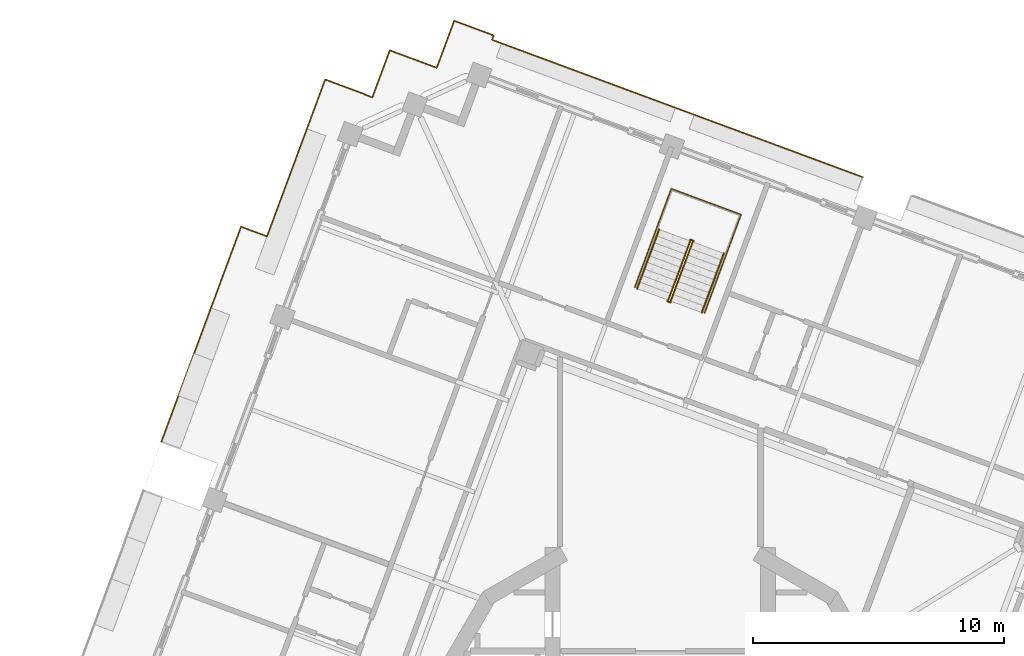
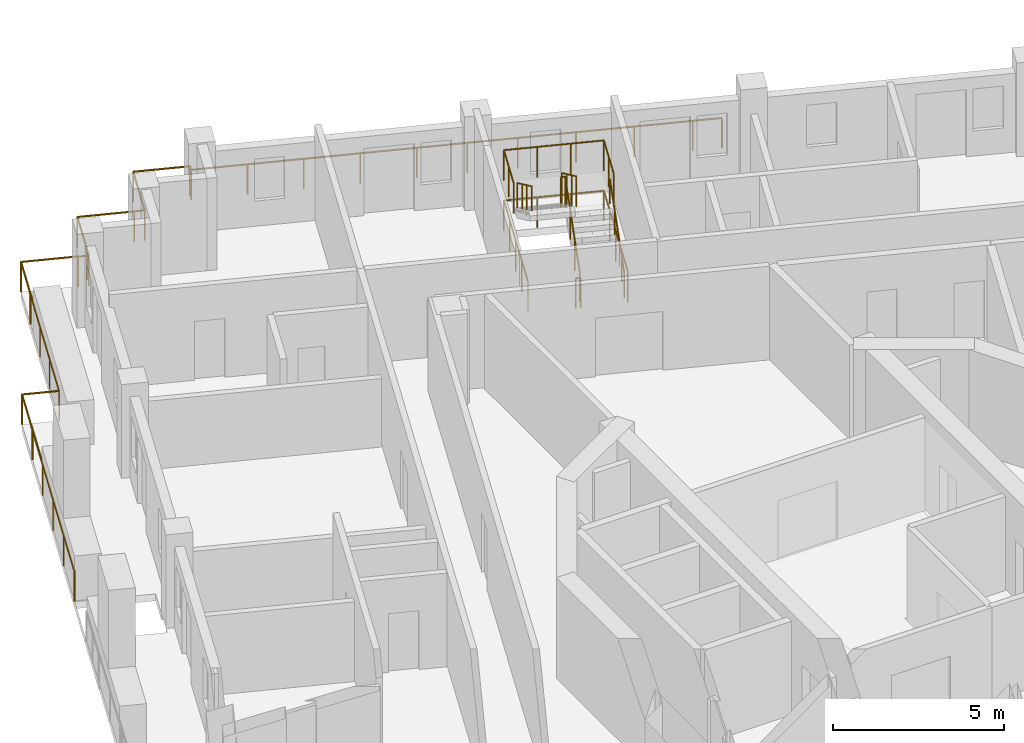
# One storey, part 17 of 19: 8 railings.
"""IFC4 building model written with IfcOpenShell, lengths in metres."""

from ifc_helpers import new_model, si_unit, direction, frame, origin, origin_2d, place, context, subcontext, project, spatial, circle, extrude, material, type_object, element, save


model = new_model("IFC4")

# Units and contexts
model_context = context("Model", 3, precision=1e-05, world=origin(), true_north=direction((0.0, 1.0)))
body_context = subcontext(model_context, "Body", "Model", "MODEL_VIEW")
ifc_project = project(units=[si_unit("LENGTHUNIT", "METRE"), si_unit("AREAUNIT", "SQUARE_METRE"), si_unit("VOLUMEUNIT", "CUBIC_METRE"), si_unit("PLANEANGLEUNIT", "RADIAN"), si_unit("MASSUNIT", "GRAM", prefix="KILO")], contexts=[model_context])

# Site, building, storey
site_placement = place(None, origin())
site = spatial("IfcSite", under=ifc_project, at=site_placement, CompositionType="ELEMENT")
building_placement = place(site_placement, origin())
building = spatial("IfcBuilding", under=site, at=building_placement, Name="Cantera Rosa Tower", CompositionType="ELEMENT")
storey_placement = place(building_placement, frame((0.0, 0.0, 324.10009765625)))
storey = spatial("IfcBuildingStorey", under=building, at=storey_placement, Name="L72", CompositionType="ELEMENT", Elevation=324.10009765625)

# Railings
ifc_material_1 = material(Name="Stainless steel and laminated glass", Category="steel")
railing_type_1 = type_object("IfcRailingType", Name="GUARD 1100", PredefinedType="BALUSTRADE", material=ifc_material_1)
railing_1_placement = place(storey_placement, frame((-19.911376953125, 13.051513671875, 0.0)))
element("IfcRailing", 1, at=railing_1_placement, inside=storey, type_object=railing_type_1, Name="GUARD L72-4", PredefinedType="BALUSTRADE", context=body_context, shape_type="SweptSolid", body=[
    extrude(circle(Radius=0.030029296875, at=origin_2d()), frame((0.0, 0.0, 1.070068359375), z_axis=(0.347474136688, 0.937689567145, 0.0), x_axis=(-0.937689567145, 0.347474136688, 0.0)), (0.0, 0.0, 1.0), 9.156494140625),
    extrude(circle(Radius=0.030029296875, at=origin_2d()), frame((3.181640625, 8.5859375, 1.070068359375), z_axis=(0.937674167555, -0.347515691013, 0.0), x_axis=(0.347515691013, 0.937674167555, 0.0)), (0.0, 0.0, 1.0), 1.105712890625),
    extrude(circle(Radius=0.030029296875, at=origin_2d()), frame((4.218505859375, 8.20166015625, 1.070068359375), z_axis=(0.347504967842, 0.937678141648, 0.0), x_axis=(-0.937678141648, 0.347504967842, 0.0)), (0.0, 0.0, 1.0), 6.67431640625),
    extrude(circle(Radius=0.030029296875, at=origin_2d()), frame((6.537841796875, 14.4599609375, 1.070068359375), z_axis=(0.93766211216, -0.347548217403, 0.0), x_axis=(0.347548217403, 0.93766211216, 0.0)), (0.0, 0.0, 1.0), 1.699951171875),
    extrude(circle(Radius=0.030029296875, at=origin_2d()), frame((8.1318359375, 13.869140625, 1.070068359375), z_axis=(-0.355217760624, -0.934783580588, 0.0), x_axis=(0.934783580588, -0.355217760624, 0.0)), (0.0, 0.0, 1.0), 0.012939453125),
    extrude(circle(Radius=0.030029296875, at=origin_2d()), frame((8.127197265625, 13.85693359375, 1.070068359375), z_axis=(0.937635888853, -0.347618957962, 0.0), x_axis=(0.347618957962, 0.937635888853, 0.0)), (0.0, 0.0, 1.0), 0.313232421875),
    extrude(circle(Radius=0.030029296875, at=origin_2d()), frame((8.4208984375, 13.748046875, 1.070068359375), z_axis=(0.346933448503, 0.937889749549, 0.0), x_axis=(-0.937889749549, 0.346933448503, 0.0)), (0.0, 0.0, 1.0), 0.313232421875),
    extrude(circle(Radius=0.030029296875, at=origin_2d()), frame((8.529541015625, 14.041748046875, 1.070068359375), z_axis=(0.347488755066, 0.937684149969, 0.0), x_axis=(-0.937684149969, 0.347488755066, 0.0)), (0.0, 0.0, 1.0), 1.68701171875),
    extrude(circle(Radius=0.030029296875, at=origin_2d()), frame((9.11572265625, 15.62353515625, 1.070068359375), z_axis=(0.937684149969, -0.347488755066, 0.0), x_axis=(0.347488755066, 0.937684149969, 0.0)), (0.0, 0.0, 1.0), 1.68701171875),
    extrude(circle(Radius=0.030029296875, at=origin_2d()), frame((10.697509765625, 15.037353515625, 1.070068359375), z_axis=(0.937635888853, -0.347618957962, 0.0), x_axis=(0.347618957962, 0.937635888853, 0.0)), (0.0, 0.0, 1.0), 0.313232421875),
    extrude(circle(Radius=0.030029296875, at=origin_2d()), frame((10.9912109375, 14.928466796875, 1.070068359375), z_axis=(0.347401818267, 0.937716362588, 0.0), x_axis=(-0.937716362588, 0.347401818267, 0.0)), (0.0, 0.0, 1.0), 2.0),
    extrude(circle(Radius=0.030029296875, at=origin_2d()), frame((11.68603515625, 16.803955078125, 1.070068359375), z_axis=(0.937684149969, -0.347488755066, 0.0), x_axis=(0.347488755066, 0.937684149969, 0.0)), (0.0, 0.0, 1.0), 1.68701171875),
    extrude(circle(Radius=0.030029296875, at=origin_2d()), frame((13.267822265625, 16.2177734375, 1.070068359375), z_axis=(-0.347399426404, -0.937717248713, 0.0), x_axis=(0.937717248713, -0.347399426404, 0.0)), (0.0, 0.0, 1.0), 0.18701171875),
    extrude(circle(Radius=0.030029296875, at=origin_2d()), frame((13.202880859375, 16.04248046875, 1.070068359375), z_axis=(0.937686328856, -0.347482875373, 0.0), x_axis=(0.347482875373, 0.937686328856, 0.0)), (0.0, 0.0, 1.0), 6.699951171875),
    extrude(circle(Radius=0.030029296875, at=origin_2d()), frame((19.4853515625, 13.71435546875, 1.070068359375), z_axis=(0.93768985062, -0.347473371704, 0.0), x_axis=(0.347473371704, 0.93768985062, 0.0)), (0.0, 0.0, 1.0), 3.000244140625),
    extrude(circle(Radius=0.030029296875, at=origin_2d()), frame((22.298583984375, 12.671875, 1.070068359375), z_axis=(0.937688147358, -0.347477968085, 0.0), x_axis=(0.347477968085, 0.937688147358, 0.0)), (0.0, 0.0, 1.0), 5.199951171875),
    extrude(circle(Radius=0.030029296875, at=origin_2d()), frame((27.174560546875, 10.864990234375, 1.070068359375), z_axis=(0.937694580373, -0.347460607753, 0.0), x_axis=(0.347460607753, 0.937694580373, 0.0)), (0.0, 0.0, 1.0), 0.869873046875),
    extrude(circle(Radius=0.02490234375, at=origin_2d()), origin(), (0.0, 0.0, 1.0), 1.0400390625),
    extrude(circle(Radius=0.02490234375, at=origin_2d()), frame((0.63623046875, 1.71728515625, 0.0)), (0.0, 0.0, 1.0), 1.0400390625),
    extrude(circle(Radius=0.02490234375, at=origin_2d()), frame((1.272705078125, 3.434326171875, 0.0)), (0.0, 0.0, 1.0), 1.0400390625),
    extrude(circle(Radius=0.02490234375, at=origin_2d()), frame((1.908935546875, 5.151611328125, 0.0)), (0.0, 0.0, 1.0), 1.0400390625),
    extrude(circle(Radius=0.02490234375, at=origin_2d()), frame((2.54541015625, 6.86865234375, 0.0)), (0.0, 0.0, 1.0), 1.0400390625),
    extrude(circle(Radius=0.02490234375, at=origin_2d()), frame((3.181640625, 8.5859375, 0.0)), (0.0, 0.0, 1.0), 1.0400390625),
    extrude(circle(Radius=0.02490234375, at=origin_2d()), frame((4.218505859375, 8.20166015625, 0.0)), (0.0, 0.0, 1.0), 1.0400390625),
    extrude(circle(Radius=0.02490234375, at=origin_2d()), frame((4.79833984375, 9.76611328125, 0.0)), (0.0, 0.0, 1.0), 1.0400390625),
    extrude(circle(Radius=0.02490234375, at=origin_2d()), frame((5.378173828125, 11.330810546875, 0.0)), (0.0, 0.0, 1.0), 1.0400390625),
    extrude(circle(Radius=0.02490234375, at=origin_2d()), frame((5.9580078125, 12.8955078125, 0.0)), (0.0, 0.0, 1.0), 1.0400390625),
    extrude(circle(Radius=0.02490234375, at=origin_2d()), frame((6.537841796875, 14.4599609375, 0.0)), (0.0, 0.0, 1.0), 1.0400390625),
    extrude(circle(Radius=0.02490234375, at=origin_2d()), frame((8.1318359375, 13.869140625, 0.0)), (0.0, 0.0, 1.0), 1.0400390625),
    extrude(circle(Radius=0.02490234375, at=origin_2d()), frame((8.127197265625, 13.85693359375, 0.0)), (0.0, 0.0, 1.0), 1.0400390625),
    extrude(circle(Radius=0.02490234375, at=origin_2d()), frame((8.4208984375, 13.748046875, 0.0)), (0.0, 0.0, 1.0), 1.0400390625),
    extrude(circle(Radius=0.02490234375, at=origin_2d()), frame((8.529541015625, 14.041748046875, 0.0)), (0.0, 0.0, 1.0), 1.0400390625),
    extrude(circle(Radius=0.02490234375, at=origin_2d()), frame((9.11572265625, 15.62353515625, 0.0)), (0.0, 0.0, 1.0), 1.0400390625),
    extrude(circle(Radius=0.02490234375, at=origin_2d()), frame((10.697509765625, 15.037353515625, 0.0)), (0.0, 0.0, 1.0), 1.0400390625),
    extrude(circle(Radius=0.02490234375, at=origin_2d()), frame((10.9912109375, 14.928466796875, 0.0)), (0.0, 0.0, 1.0), 1.0400390625),
    extrude(circle(Radius=0.02490234375, at=origin_2d()), frame((11.68603515625, 16.803955078125, 0.0)), (0.0, 0.0, 1.0), 1.0400390625),
    extrude(circle(Radius=0.02490234375, at=origin_2d()), frame((13.267822265625, 16.2177734375, 0.0)), (0.0, 0.0, 1.0), 1.0400390625),
    extrude(circle(Radius=0.02490234375, at=origin_2d()), frame((13.202880859375, 16.04248046875, 0.0)), (0.0, 0.0, 1.0), 1.0400390625),
    extrude(circle(Radius=0.02490234375, at=origin_2d()), frame((14.7734375, 15.46044921875, 0.0)), (0.0, 0.0, 1.0), 1.0400390625),
    extrude(circle(Radius=0.02490234375, at=origin_2d()), frame((16.34423828125, 14.87841796875, 0.0)), (0.0, 0.0, 1.0), 1.0400390625),
    extrude(circle(Radius=0.02490234375, at=origin_2d()), frame((17.914794921875, 14.29638671875, 0.0)), (0.0, 0.0, 1.0), 1.0400390625),
    extrude(circle(Radius=0.02490234375, at=origin_2d()), frame((19.4853515625, 13.71435546875, 0.0)), (0.0, 0.0, 1.0), 1.0400390625),
    extrude(circle(Radius=0.02490234375, at=origin_2d()), frame((20.89208984375, 13.193115234375, 0.0)), (0.0, 0.0, 1.0), 1.0400390625),
    extrude(circle(Radius=0.02490234375, at=origin_2d()), frame((22.298583984375, 12.671875, 0.0)), (0.0, 0.0, 1.0), 1.0400390625),
    extrude(circle(Radius=0.02490234375, at=origin_2d()), frame((23.923828125, 12.069580078125, 0.0)), (0.0, 0.0, 1.0), 1.0400390625),
    extrude(circle(Radius=0.02490234375, at=origin_2d()), frame((25.54931640625, 11.46728515625, 0.0)), (0.0, 0.0, 1.0), 1.0400390625),
    extrude(circle(Radius=0.02490234375, at=origin_2d()), frame((27.174560546875, 10.864990234375, 0.0)), (0.0, 0.0, 1.0), 1.0400390625),
    extrude(circle(Radius=0.02490234375, at=origin_2d()), frame((27.990234375, 10.562744140625, 0.0)), (0.0, 0.0, 1.0), 1.0400390625),
])
ifc_material_2 = material(Name="Steel S355J2 (EN 10025-2)", Category="steel")
railing_type_2 = type_object("IfcRailingType", Name="STAIR GUARD 1100", PredefinedType="GUARDRAIL", material=ifc_material_2)
railing_2_placement = place(storey_placement, frame((0.412109375, 18.670166015625, 0.179931640625)))
element("IfcRailing", 2, at=railing_2_placement, inside=storey, type_object=railing_type_2, Name="L72 ST-62 stair guard 1", PredefinedType="GUARDRAIL", context=body_context, shape_type="SweptSolid", body=[
    extrude(circle(Radius=0.02392578125, at=origin_2d()), frame((0.0, 0.0, 1.076171875), z_axis=(0.292319685639, 0.78878233546, 0.540713998944), x_axis=(-0.937679794265, 0.347500508527, 0.0)), (0.0, 0.0, 1.0), 2.995849609375),
    extrude(circle(Radius=0.02392578125, at=origin_2d()), frame((0.875732421875, 2.363037109375, 2.69580078125), z_axis=(0.740919573429, 0.671593765389, 0.0), x_axis=(-0.671593765389, 0.740919573429, 0.0)), (0.0, 0.0, 1.0), 0.056396484375),
    extrude(circle(Radius=0.02392578125, at=origin_2d()), frame((0.91748046875, 2.40087890625, 2.69580078125), z_axis=(-0.937925419525, 0.346837004095, 0.0), x_axis=(-0.346837004095, -0.937925419525, 0.0)), (0.0, 0.0, 1.0), 0.14990234375),
    extrude(circle(Radius=0.02099609375, at=origin_2d()), origin(), (0.0, 0.0, 1.0), 1.052001953125),
    extrude(circle(Radius=0.02099609375, at=origin_2d()), frame((0.2919921875, 0.78759765625, 0.5400390625)), (0.0, 0.0, 1.0), 1.052001953125),
    extrude(circle(Radius=0.02099609375, at=origin_2d()), frame((0.583740234375, 1.575439453125, 1.079833984375)), (0.0, 0.0, 1.0), 1.052001953125),
    extrude(circle(Radius=0.02099609375, at=origin_2d()), frame((0.875732421875, 2.363037109375, 1.619873046875)), (0.0, 0.0, 1.0), 1.052001953125),
    extrude(circle(Radius=0.02099609375, at=origin_2d()), frame((0.91748046875, 2.40087890625, 1.619873046875)), (0.0, 0.0, 1.0), 1.052001953125),
    extrude(circle(Radius=0.02099609375, at=origin_2d()), frame((0.77685546875, 2.452880859375, 1.619873046875)), (0.0, 0.0, 1.0), 1.052001953125),
])
railing_3_placement = place(storey_placement, frame((1.196044921875, 21.067138671875, 1.97998046875)))
element("IfcRailing", 3, at=railing_3_placement, inside=storey, type_object=railing_type_2, Name="L72 ST-62 stair guard 2", PredefinedType="GUARDRAIL", context=body_context, shape_type="SweptSolid", body=[
    extrude(circle(Radius=0.02392578125, at=origin_2d()), frame((0.0, 0.0, 1.076171875), z_axis=(-0.292319685639, -0.78878233546, 0.540713998944), x_axis=(0.937679794265, -0.347500508527, 0.0)), (0.0, 0.0, 1.0), 2.995849609375),
    extrude(circle(Radius=0.02099609375, at=origin_2d()), origin(), (0.0, 0.0, 1.0), 1.052001953125),
    extrude(circle(Radius=0.02099609375, at=origin_2d()), frame((-0.2919921875, -0.78759765625, 0.5400390625)), (0.0, 0.0, 1.0), 1.052001953125),
    extrude(circle(Radius=0.02099609375, at=origin_2d()), frame((-0.583740234375, -1.575439453125, 1.079833984375)), (0.0, 0.0, 1.0), 1.052001953125),
    extrude(circle(Radius=0.02099609375, at=origin_2d()), frame((-0.875732421875, -2.363037109375, 1.619873046875)), (0.0, 0.0, 1.0), 1.052001953125),
])
railing_4_placement = place(storey_placement, frame((0.419189453125, 18.6142578125, 0.0)))
element("IfcRailing", 4, at=railing_4_placement, inside=storey, type_object=railing_type_2, Name="L72 ST-62 stair guard 3", PredefinedType="GUARDRAIL", context=body_context, shape_type="SweptSolid", body=[
    extrude(circle(Radius=0.02392578125, at=origin_2d()), frame((0.0, 0.0, 1.076171875), z_axis=(-0.937925419525, 0.346837004095, 0.0), x_axis=(-0.346837004095, -0.937925419525, 0.0)), (0.0, 0.0, 1.0), 0.14990234375),
    extrude(circle(Radius=0.02099609375, at=origin_2d()), origin(), (0.0, 0.0, 1.0), 1.052001953125),
    extrude(circle(Radius=0.02099609375, at=origin_2d()), frame((-0.140625, 0.052001953125, 0.0)), (0.0, 0.0, 1.0), 1.052001953125),
])
railing_5_placement = place(storey_placement, frame((1.762939453125, 18.182373046875, 0.0)))
element("IfcRailing", 5, at=railing_5_placement, inside=storey, type_object=railing_type_2, Name="L72 ST-62 stair guard 4", PredefinedType="GUARDRAIL", context=body_context, shape_type="SweptSolid", body=[
    extrude(circle(Radius=0.02392578125, at=origin_2d()), frame((0.0, 0.0, 1.076171875), z_axis=(0.347475346394, 0.937689118871, 0.0), x_axis=(-0.937689118871, 0.347475346394, 0.0)), (0.0, 0.0, 1.0), 4.197998046875),
    extrude(circle(Radius=0.02392578125, at=origin_2d()), frame((1.458740234375, 3.9365234375, 1.076171875), z_axis=(-0.937690243436, 0.347472311651, 0.0), x_axis=(-0.347472311651, -0.937690243436, 0.0)), (0.0, 0.0, 1.0), 2.969970703125),
    extrude(circle(Radius=0.02392578125, at=origin_2d()), frame((-1.326171875, 4.968505859375, 1.076171875), z_axis=(-0.347475346394, -0.937689118871, 0.0), x_axis=(0.937689118871, -0.347475346394, 0.0)), (0.0, 0.0, 1.0), 4.197998046875),
    extrude(circle(Radius=0.02099609375, at=origin_2d()), origin(), (0.0, 0.0, 1.0), 1.052001953125),
    extrude(circle(Radius=0.02099609375, at=origin_2d()), frame((0.36474609375, 0.984130859375, 0.0)), (0.0, 0.0, 1.0), 1.052001953125),
    extrude(circle(Radius=0.02099609375, at=origin_2d()), frame((0.7294921875, 1.96826171875, 0.0)), (0.0, 0.0, 1.0), 1.052001953125),
    extrude(circle(Radius=0.02099609375, at=origin_2d()), frame((1.093994140625, 2.952392578125, 0.0)), (0.0, 0.0, 1.0), 1.052001953125),
    extrude(circle(Radius=0.02099609375, at=origin_2d()), frame((1.458740234375, 3.9365234375, 0.0)), (0.0, 0.0, 1.0), 1.052001953125),
    extrude(circle(Radius=0.02099609375, at=origin_2d()), frame((0.530517578125, 4.280517578125, 0.0)), (0.0, 0.0, 1.0), 1.052001953125),
    extrude(circle(Radius=0.02099609375, at=origin_2d()), frame((-0.39794921875, 4.62451171875, 0.0)), (0.0, 0.0, 1.0), 1.052001953125),
    extrude(circle(Radius=0.02099609375, at=origin_2d()), frame((-1.326171875, 4.968505859375, 0.0)), (0.0, 0.0, 1.0), 1.052001953125),
    extrude(circle(Radius=0.02099609375, at=origin_2d()), frame((-1.69091796875, 3.984375, 0.0)), (0.0, 0.0, 1.0), 1.052001953125),
    extrude(circle(Radius=0.02099609375, at=origin_2d()), frame((-2.0556640625, 3.000244140625, 0.0)), (0.0, 0.0, 1.0), 1.052001953125),
    extrude(circle(Radius=0.02099609375, at=origin_2d()), frame((-2.420166015625, 2.01611328125, 0.0)), (0.0, 0.0, 1.0), 1.052001953125),
    extrude(circle(Radius=0.02099609375, at=origin_2d()), frame((-2.784912109375, 1.031982421875, 0.0)), (0.0, 0.0, 1.0), 1.052001953125),
])
railing_6_placement = place(storey_placement, frame((2.630126953125, 20.52294921875, 1.7998046875)))
element("IfcRailing", 6, at=railing_6_placement, inside=storey, type_object=railing_type_2, Name="L72 ST-62 stair guard 5", PredefinedType="GUARDRAIL", context=body_context, shape_type="SweptSolid", body=[
    extrude(circle(Radius=0.02392578125, at=origin_2d()), frame((0.0, 0.0, 1.076171875), z_axis=(0.347552602091, 0.937660486946, 0.0), x_axis=(-0.937660486946, 0.347552602091, 0.0)), (0.0, 0.0, 1.0), 1.7021484375),
    extrude(circle(Radius=0.02392578125, at=origin_2d()), frame((0.591552734375, 1.595947265625, 1.076171875), z_axis=(-0.937690243436, 0.347472311651, 0.0), x_axis=(-0.347472311651, -0.937690243436, 0.0)), (0.0, 0.0, 1.0), 2.969970703125),
    extrude(circle(Radius=0.02392578125, at=origin_2d()), frame((-2.193359375, 2.6279296875, 1.076171875), z_axis=(-0.347552602091, -0.937660486946, 0.0), x_axis=(0.937660486946, -0.347552602091, 0.0)), (0.0, 0.0, 1.0), 1.7021484375),
    extrude(circle(Radius=0.02099609375, at=origin_2d()), origin(), (0.0, 0.0, 1.0), 1.052001953125),
    extrude(circle(Radius=0.02099609375, at=origin_2d()), frame((0.2958984375, 0.7978515625, 0.0)), (0.0, 0.0, 1.0), 1.052001953125),
    extrude(circle(Radius=0.02099609375, at=origin_2d()), frame((0.591552734375, 1.595947265625, 0.0)), (0.0, 0.0, 1.0), 1.052001953125),
    extrude(circle(Radius=0.02099609375, at=origin_2d()), frame((-0.336669921875, 1.93994140625, 0.0)), (0.0, 0.0, 1.0), 1.052001953125),
    extrude(circle(Radius=0.02099609375, at=origin_2d()), frame((-1.26513671875, 2.283935546875, 0.0)), (0.0, 0.0, 1.0), 1.052001953125),
    extrude(circle(Radius=0.02099609375, at=origin_2d()), frame((-2.193359375, 2.6279296875, 0.0)), (0.0, 0.0, 1.0), 1.052001953125),
    extrude(circle(Radius=0.02099609375, at=origin_2d()), frame((-2.4892578125, 1.830078125, 0.0)), (0.0, 0.0, 1.0), 1.052001953125),
    extrude(circle(Radius=0.02099609375, at=origin_2d()), frame((-2.784912109375, 1.031982421875, 0.0)), (0.0, 0.0, 1.0), 1.052001953125),
])
ifc_material_3 = material(Name="Steel S355J2 (EN 10025-2)", Category="steel")
railing_type_3 = type_object("IfcRailingType", Name="STAIR HANDRAIL 900", PredefinedType="HANDRAIL", material=ifc_material_3)
railing_7_placement = place(storey_placement, frame((1.655517578125, 18.20947265625, 0.179931640625)))
element("IfcRailing", 7, at=railing_7_placement, inside=storey, type_object=railing_type_3, Name="L72 ST-62 stair handrail 1", PredefinedType="HANDRAIL", context=body_context, shape_type="SweptSolid", body=[
    extrude(circle(Radius=0.02392578125, at=origin_2d()), frame((0.0, 0.0, 0.8759765625), z_axis=(0.292338477135, 0.788751542156, 0.540748758236), x_axis=(-0.937668094043, 0.347532078253, 0.0)), (0.0, 0.0, 1.0), 2.99560546875),
    extrude(circle(Radius=0.02099609375, at=origin_2d()), origin(), (0.0, 0.0, 1.0), 0.851806640625),
    extrude(circle(Radius=0.02099609375, at=origin_2d()), frame((0.2919921875, 0.78759765625, 0.5400390625)), (0.0, 0.0, 1.0), 0.851806640625),
    extrude(circle(Radius=0.02099609375, at=origin_2d()), frame((0.583740234375, 1.5751953125, 1.079833984375)), (0.0, 0.0, 1.0), 0.851806640625),
    extrude(circle(Radius=0.02099609375, at=origin_2d()), frame((0.875732421875, 2.36279296875, 1.619873046875)), (0.0, 0.0, 1.0), 0.851806640625),
])
railing_8_placement = place(storey_placement, frame((-0.04736328125, 21.52783203125, 1.97998046875)))
element("IfcRailing", 8, at=railing_8_placement, inside=storey, type_object=railing_type_3, Name="L72 ST-62 stair handrail 2", PredefinedType="HANDRAIL", context=body_context, shape_type="SweptSolid", body=[
    extrude(circle(Radius=0.02392578125, at=origin_2d()), frame((0.0, 0.0, 0.8759765625), z_axis=(-0.292338477135, -0.788751542156, 0.540748758236), x_axis=(0.937668094043, -0.347532078253, 0.0)), (0.0, 0.0, 1.0), 2.99560546875),
    extrude(circle(Radius=0.02099609375, at=origin_2d()), origin(), (0.0, 0.0, 1.0), 0.851806640625),
    extrude(circle(Radius=0.02099609375, at=origin_2d()), frame((-0.2919921875, -0.78759765625, 0.5400390625)), (0.0, 0.0, 1.0), 0.851806640625),
    extrude(circle(Radius=0.02099609375, at=origin_2d()), frame((-0.583740234375, -1.5751953125, 1.079833984375)), (0.0, 0.0, 1.0), 0.851806640625),
    extrude(circle(Radius=0.02099609375, at=origin_2d()), frame((-0.875732421875, -2.36279296875, 1.619873046875)), (0.0, 0.0, 1.0), 0.851806640625),
])

save(model, "model.ifc")
